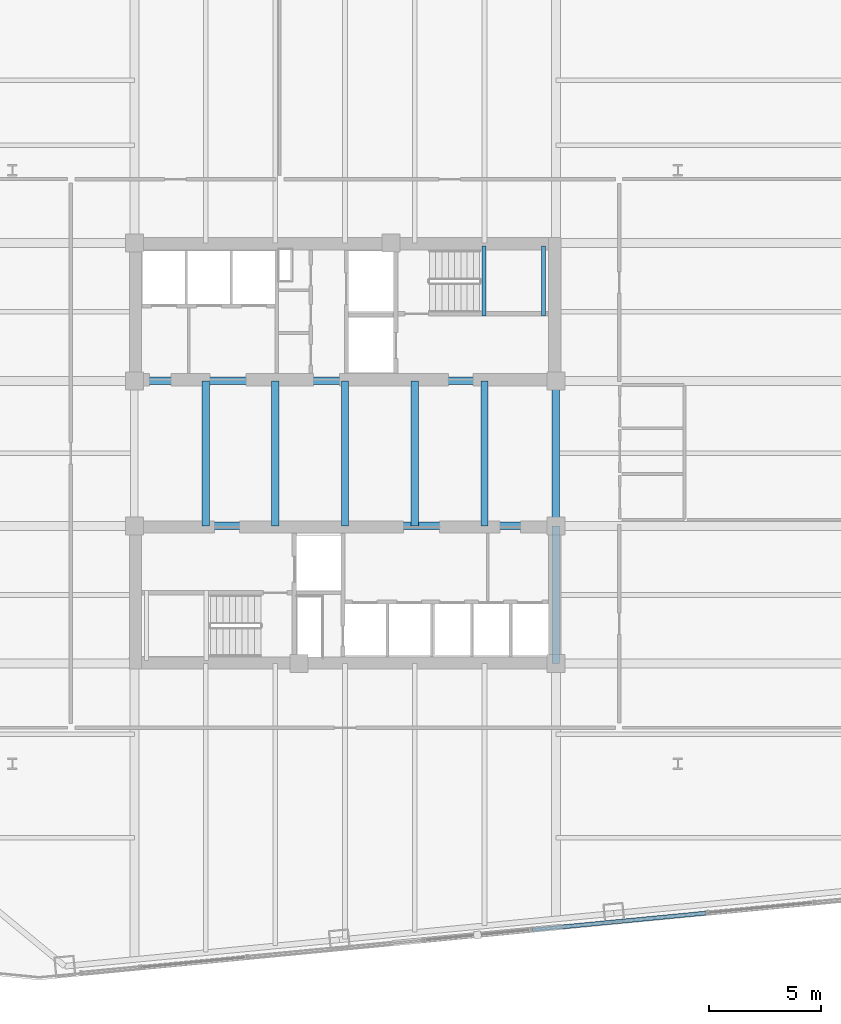
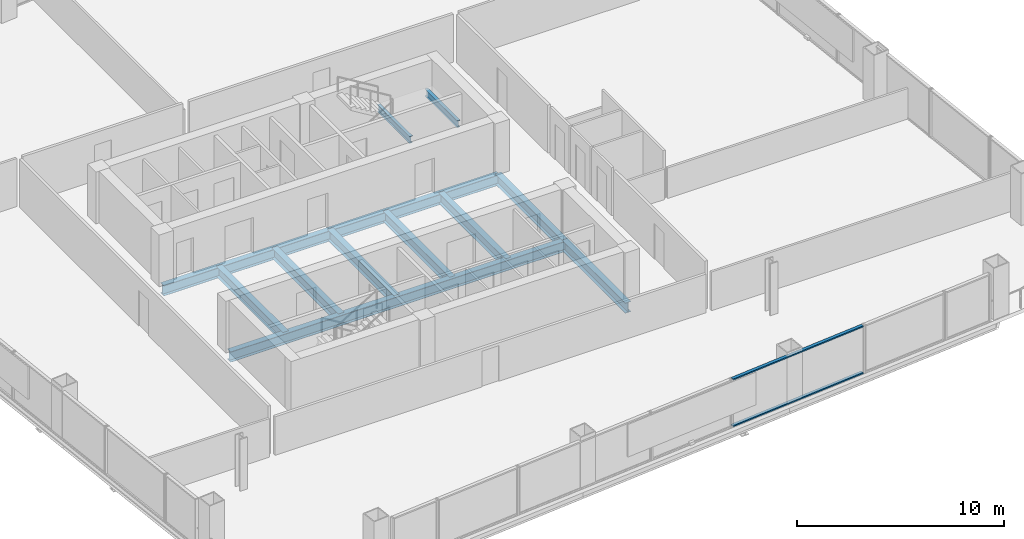
# One storey, part 8 of 27: 11 beams, 2 members, 1 element without a shape of its own.
"""IFC4 building model written with IfcOpenShell, lengths in metres."""

from ifc_helpers import new_model, si_unit, direction, frame, origin, origin_2d, place, context, subcontext, project, spatial, hollow_rectangle, i_section, extrude, material, layer, layer_set, material_profile, profile_set, type_object, element, aggregate, save


model = new_model("IFC4")

# Units and contexts
model_context = context("Model", 3, precision=1e-05, world=origin(), true_north=direction((0.0, 1.0)))
body_context = subcontext(model_context, "Body", "Model", "MODEL_VIEW")
ifc_project = project(units=[si_unit("LENGTHUNIT", "METRE"), si_unit("AREAUNIT", "SQUARE_METRE"), si_unit("VOLUMEUNIT", "CUBIC_METRE"), si_unit("PLANEANGLEUNIT", "RADIAN"), si_unit("MASSUNIT", "GRAM", prefix="KILO")], contexts=[model_context])

# Site, building, storey
site_placement = place(None, origin())
site = spatial("IfcSite", under=ifc_project, at=site_placement, CompositionType="ELEMENT")
building_placement = place(site_placement, origin())
building = spatial("IfcBuilding", under=site, at=building_placement, Name="Qhalaya Broadcast Tower", CompositionType="ELEMENT")
storey_placement = place(building_placement, frame((0.0, 0.0, 75.550048828125)))
storey = spatial("IfcBuildingStorey", under=building, at=storey_placement, Name="L21", CompositionType="ELEMENT", Elevation=75.550048828125)

# Beams
ifc_material_1 = material(Name="Structural Steel ASTM A992 Grade 50", Category="steel")
ifc_material_profile_1 = material_profile(ifc_material_1, i_section(OverallWidth=0.323974609375, OverallDepth=0.612060546875, WebThickness=0.0126953125, FlangeThickness=0.01904296875, at=origin_2d()), Name="W24X104")
ifc_profile_set_1 = profile_set([ifc_material_profile_1], Name="Structural Steel ASTM A992 Grade 50")
beam_type_1 = type_object("IfcBeamType", Name="Core Frame Tie Beam B04", PredefinedType="BEAM", material=ifc_profile_set_1)
for number, where, z_axis, x_axis, name in (
    (1, (-9.375, 3.824951171875, -0.526123046875), (1.0, 0.0, 0.0), (0.0, 1.0, 0.0), "L21 B04 L21-CCN1"),
    (2, (-9.375, -2.625, -0.526123046875), (1.0, 0.0, 0.0), (0.0, 1.0, 0.0), "L21 B04 L21-CCS1"),
):
    element("IfcBeam", number, at=place(storey_placement, frame(where, z_axis=z_axis, x_axis=x_axis)), inside=storey, type_object=beam_type_1, Name=name, PredefinedType="BEAM", context=body_context, shape_type="SweptSolid", body=[
        extrude(i_section(OverallWidth=0.323974609375, OverallDepth=0.612060546875, WebThickness=0.0126953125, FlangeThickness=0.01904296875, at=origin_2d()), origin(), (0.0, 0.0, 1.0), 18.75),
    ])
beam_placement = place(storey_placement, frame((9.375, -8.75, -0.526123046875), z_axis=(0.0, 1.0, 0.0), x_axis=(-1.0, 0.0, 0.0)))
element("IfcBeam", 3, at=beam_placement, inside=storey, type_object=beam_type_1, Name="L21 B04 L21-CCS2", PredefinedType="BEAM", context=body_context, shape_type="SweptSolid", body=[
    extrude(i_section(OverallWidth=0.323974609375, OverallDepth=0.612060546875, WebThickness=0.0126953125, FlangeThickness=0.01904296875, at=origin_2d()), origin(), (0.0, 0.0, 1.0), 6.125),
])
for number, where, z_axis, x_axis, name in (
    (4, (9.375, -2.625, -0.526123046875), (0.0, 1.0, 0.0), (-1.0, 0.0, 0.0), "L21 B04 L21-CCE"),
    (5, (-6.199951171875, -2.625, -0.526123046875), (0.0, 1.0, 0.0), (-1.0, 0.0, 0.0), "L21 B04 L21-JC1-1"),
    (6, (-3.10009765625, -2.625, -0.526123046875), (0.0, 1.0, 0.0), (-1.0, 0.0, 0.0), "L21 B04 L21-JC2-1"),
    (7, (0.0, -2.625, -0.526123046875), (0.0, 1.0, 0.0), (-1.0, 0.0, 0.0), "L21 B04 L21-JC3-1"),
    (8, (3.10009765625, -2.625, -0.526123046875), (0.0, 1.0, 0.0), (-1.0, 0.0, 0.0), "L21 B04 L21-JC4-1"),
    (9, (6.199951171875, -2.625, -0.526123046875), (0.0, 1.0, 0.0), (-1.0, 0.0, 0.0), "L21 B04 L21-JC5-1"),
):
    element("IfcBeam", number, at=place(storey_placement, frame(where, z_axis=z_axis, x_axis=x_axis)), inside=storey, type_object=beam_type_1, Name=name, PredefinedType="BEAM", context=body_context, shape_type="SweptSolid", body=[
        extrude(i_section(OverallWidth=0.323974609375, OverallDepth=0.612060546875, WebThickness=0.0126953125, FlangeThickness=0.01904296875, at=origin_2d()), origin(), (0.0, 0.0, 1.0), 6.449951171875),
    ])

# Curtain wall, members
ifc_material_2 = material(Name="Fired Architectural Terracotta", Category="masonry")
ifc_layer = layer(ifc_material_2, 0.219970703125, Name="Fired Architectural Terracotta")
ifc_layer_set = layer_set([ifc_layer], Name="Fired Architectural Terracotta")
curtain_wall_type = type_object("IfcCurtainWallType", Name="Block-Cap Unitised Terracotta Spandrel Wall CW-07", PredefinedType="NOTDEFINED", material=ifc_layer_set)
curtain_wall_placement = place(storey_placement, origin())
curtain_wall = element("IfcCurtainWall", 10, at=curtain_wall_placement, inside=storey, type_object=curtain_wall_type, Name="L21 Unitised Curtain Wall L21-CW-S5", PredefinedType="NOTDEFINED")
ifc_material_3 = material(Name="Anodised Aluminium 6063-T6", Category="aluminium")
ifc_material_profile_2 = material_profile(ifc_material_3, hollow_rectangle(XDim=0.074951171875, YDim=0.179931640625, WallThickness=0.00390625, at=origin_2d()), Name="ALU-TRN 75x180x4")
ifc_profile_set_2 = profile_set([ifc_material_profile_2], Name="Anodised Aluminium 6063-T6")
member_type = type_object("IfcMemberType", Name="Unitised Curtain-Wall Transom T01", PredefinedType="USERDEFINED", material=ifc_profile_set_2)
member_1_placement = place(storey_placement, frame((8.343017578125, -20.5908203125, 0.037353515625), z_axis=(0.99539629116, 0.095844788822, 0.0), x_axis=(0.0, 0.0, 1.0)))
member_1 = element("IfcMember", 11, at=member_1_placement, type_object=member_type, Name="CW-07 transom 1.1", ObjectType="TRANSOM", PredefinedType="USERDEFINED", context=body_context, shape_type="SweptSolid", body=[
    extrude(hollow_rectangle(XDim=0.074951171875, YDim=0.179931640625, WallThickness=0.00390625, at=origin_2d()), origin(), (0.0, 0.0, 1.0), 7.73095703125),
])
member_2_placement = place(storey_placement, frame((8.343017578125, -20.5908203125, 2.79248046875), z_axis=(0.99539629116, 0.095844788822, 0.0), x_axis=(0.0, 0.0, 1.0)))
member_2 = element("IfcMember", 12, at=member_2_placement, type_object=member_type, Name="CW-07 transom 1.2", ObjectType="TRANSOM", PredefinedType="USERDEFINED", context=body_context, shape_type="SweptSolid", body=[
    extrude(hollow_rectangle(XDim=0.074951171875, YDim=0.179931640625, WallThickness=0.00390625, at=origin_2d()), origin(), (0.0, 0.0, 1.0), 7.73095703125),
])
aggregate(curtain_wall, [member_1, member_2])

# Beams
ifc_material_profile_3 = material_profile(ifc_material_1, i_section(OverallWidth=0.177978515625, OverallDepth=0.406005859375, WebThickness=0.0078125, FlangeThickness=0.0126953125, at=origin_2d()), Name="W16X40")
ifc_profile_set_3 = profile_set([ifc_material_profile_3], Name="Structural Steel ASTM A992 Grade 50")
beam_type_2 = type_object("IfcBeamType", Name="Upper Perimeter Spandrel Beam SP2", PredefinedType="SPANDREL", material=ifc_profile_set_3)
for number, where, z_axis, x_axis, name in (
    (13, (6.175048828125, 6.699951171875, 1.1220703125), (0.0, 1.0, 0.0), (-1.0, 0.0, 0.0), "L21 ST-1 Half-Landing Bearer Beam 1"),
    (14, (8.830078125, 6.699951171875, 1.1220703125), (0.0, 1.0, 0.0), (-1.0, 0.0, 0.0), "L21 ST-1 Half-Landing Bearer Beam 2"),
):
    element("IfcBeam", number, at=place(storey_placement, frame(where, z_axis=z_axis, x_axis=x_axis)), inside=storey, type_object=beam_type_2, Name=name, PredefinedType="SPANDREL", context=body_context, shape_type="SweptSolid", body=[
        extrude(i_section(OverallWidth=0.177978515625, OverallDepth=0.406005859375, WebThickness=0.0078125, FlangeThickness=0.0126953125, at=origin_2d()), origin(), (0.0, 0.0, 1.0), 3.1201171875),
    ])

save(model, "model.ifc")
